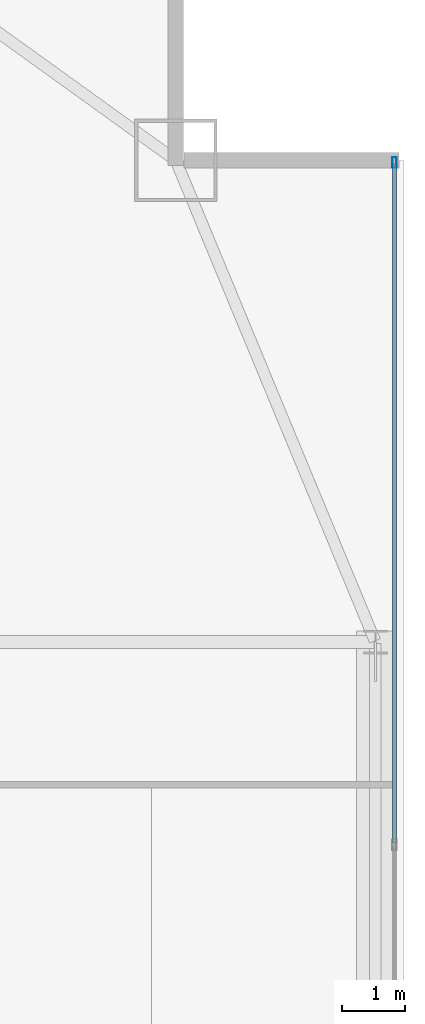
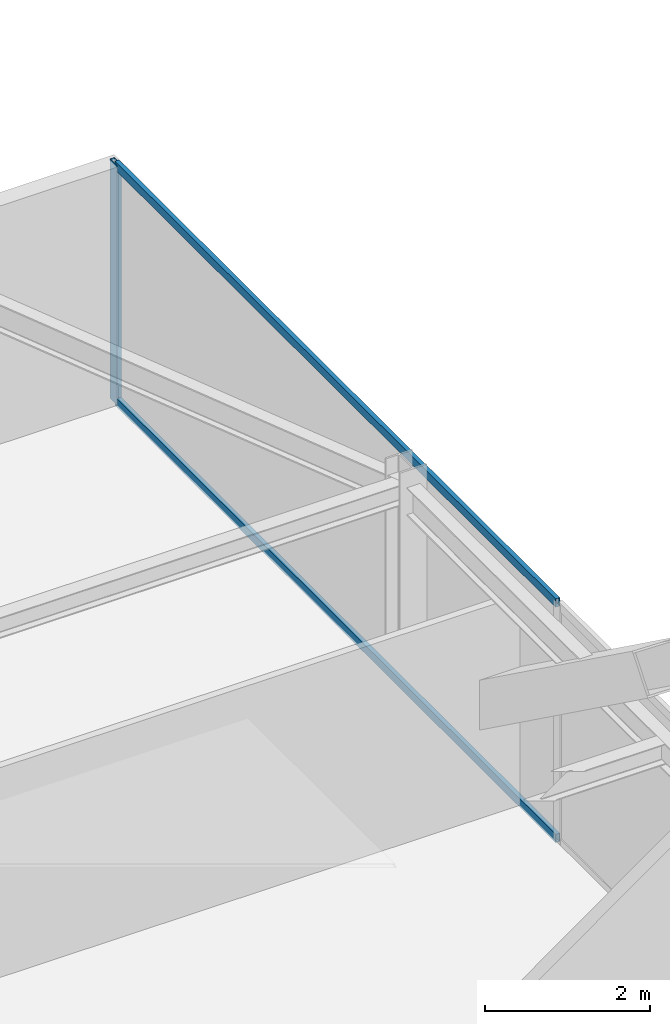
# One storey, part 25 of 34: 3 members, 1 element without a shape of its own.
"""IFC4 building model written with IfcOpenShell, lengths in metres."""

from ifc_helpers import new_model, si_unit, direction, frame, origin, origin_2d, place, context, subcontext, project, spatial, hollow_rectangle, extrude, source, transform, mapped, material, layer, layer_set, material_profile, profile_set, type_object, type_shapes, element, aggregate, save


model = new_model("IFC4")

# Units and contexts
model_context = context("Model", 3, precision=1e-05, world=origin(), true_north=direction((0.0, 1.0)))
body_context = subcontext(model_context, "Body", "Model", "MODEL_VIEW")
ifc_project = project(units=[si_unit("LENGTHUNIT", "METRE"), si_unit("AREAUNIT", "SQUARE_METRE"), si_unit("VOLUMEUNIT", "CUBIC_METRE"), si_unit("PLANEANGLEUNIT", "RADIAN"), si_unit("MASSUNIT", "GRAM", prefix="KILO")], contexts=[model_context])

# Site, building, storey
site_placement = place(None, origin())
site = spatial("IfcSite", under=ifc_project, at=site_placement, CompositionType="ELEMENT")
building_placement = place(site_placement, origin())
building = spatial("IfcBuilding", under=site, at=building_placement, Name="Varnel Quay Broadcast Tower", CompositionType="ELEMENT")
storey_placement = place(building_placement, frame((0.0, 0.0, 176.199951171875)))
storey = spatial("IfcBuildingStorey", under=building, at=storey_placement, Name="L43", CompositionType="ELEMENT", Elevation=176.199951171875)

# Curtain wall, members
ifc_material = material(Name="Anodised Bronze Aluminium 6063-T6", Category="aluminium")
ifc_layer = layer(ifc_material, 0.18994140625, Name="Anodised Bronze Aluminium 6063-T6")
ifc_layer_set = layer_set([ifc_layer], Name="Anodised Bronze Aluminium 6063-T6")
curtain_wall_type = type_object("IfcCurtainWallType", Name="CW_UpperTower", PredefinedType="NOTDEFINED", material=ifc_layer_set)
curtain_wall_placement = place(storey_placement, origin())
curtain_wall = element("IfcCurtainWall", 1, at=curtain_wall_placement, inside=storey, type_object=curtain_wall_type, Name="L43 East Unitised Curtain Wall", PredefinedType="NOTDEFINED")
ifc_material_profile_1 = material_profile(ifc_material, hollow_rectangle(XDim=0.06494140625, YDim=0.1650390625, WallThickness=0.00341796875, at=origin_2d()), Name="ALU65X165X3.5")
ifc_profile_set_1 = profile_set([ifc_material_profile_1], Name="Anodised Bronze Aluminium 6063-T6")
member_type_1 = type_object("IfcMemberType", Name="Mull_CWS-03", PredefinedType="MULLION", material=ifc_profile_set_1)
shared_shape_1 = source(origin(), body_context, "Body", "SweptSolid", [
    extrude(hollow_rectangle(XDim=0.06494140625, YDim=0.1650390625, WallThickness=0.00341796875, at=origin_2d()), origin(), (0.0, 0.0, 1.0), 3.550048828125),
])
type_shapes(member_type_1, [shared_shape_1])
member_1_placement = place(storey_placement, frame((60.85009765625, 43.16748046875, 0.0), z_axis=(0.0, 0.0, 1.0), x_axis=(-1.0, 0.0, 0.0)))
member_1 = element("IfcMember", 2, at=member_1_placement, type_object=member_type_1, Name="CWS-03 mullion 4", PredefinedType="MULLION", context=body_context, shape_type="MappedRepresentation", body=[
    mapped(shared_shape_1, transform((0.0, 0.0, 0.0), x_axis=(1.0, 0.0, 0.0), y_axis=(0.0, 1.0, 0.0), z_axis=(0.0, 0.0, 1.0), scale=1.0)),
])
ifc_material_profile_2 = material_profile(ifc_material, hollow_rectangle(XDim=0.06005859375, YDim=0.125, WallThickness=0.0029296875, at=origin_2d()), Name="ALU60X125X3")
ifc_profile_set_2 = profile_set([ifc_material_profile_2], Name="Anodised Bronze Aluminium 6063-T6")
member_type_2 = type_object("IfcMemberType", Name="Tran_CWS-03", PredefinedType="USERDEFINED", material=ifc_profile_set_2)
shared_shape_2 = source(origin(), body_context, "Body", "SweptSolid", [
    extrude(hollow_rectangle(XDim=0.06005859375, YDim=0.125, WallThickness=0.0029296875, at=origin_2d()), origin(), (0.0, 0.0, 1.0), 10.702392578125),
])
type_shapes(member_type_2, [shared_shape_2])
member_2_placement = place(storey_placement, frame((60.85009765625, 32.4326171875, 0.030029296875), z_axis=(0.0, 1.0, 0.0), x_axis=(-1.0, 0.0, 0.0)))
member_2 = element("IfcMember", 3, at=member_2_placement, type_object=member_type_2, Name="CWS-03 transom 3.1", ObjectType="TRANSOM", PredefinedType="USERDEFINED", context=body_context, shape_type="MappedRepresentation", body=[
    mapped(shared_shape_2, transform((0.0, 0.0, 0.0), x_axis=(1.0, 0.0, 0.0), y_axis=(0.0, 1.0, 0.0), z_axis=(0.0, 0.0, 1.0), scale=1.0)),
])
member_3_placement = place(storey_placement, frame((60.85009765625, 32.4326171875, 3.52001953125), z_axis=(0.0, 1.0, 0.0), x_axis=(-1.0, 0.0, 0.0)))
member_3 = element("IfcMember", 4, at=member_3_placement, type_object=member_type_2, Name="CWS-03 transom 3.2", ObjectType="TRANSOM", PredefinedType="USERDEFINED", context=body_context, shape_type="MappedRepresentation", body=[
    mapped(shared_shape_2, transform((0.0, 0.0, 0.0), x_axis=(1.0, 0.0, 0.0), y_axis=(0.0, 1.0, 0.0), z_axis=(0.0, 0.0, 1.0), scale=1.0)),
])
aggregate(curtain_wall, [member_1, member_2, member_3])

save(model, "model.ifc")
